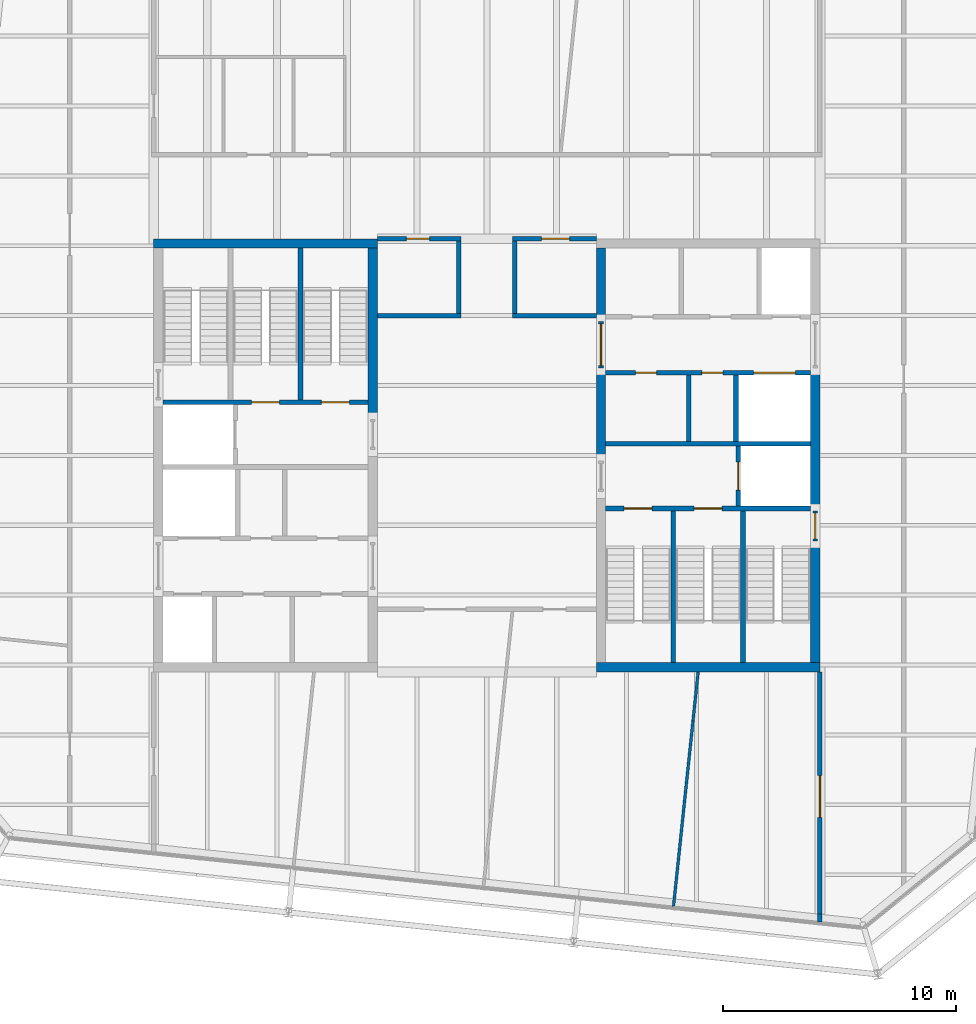
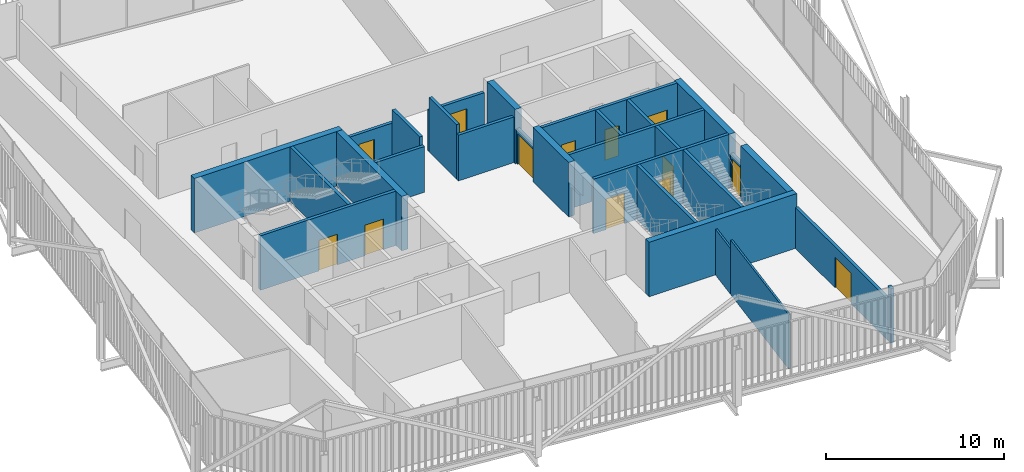
# One storey, part 18 of 21: 29 walls, 13 doors, 13 openings.
"""IFC4 building model written with IfcOpenShell, lengths in metres."""

from ifc_helpers import new_model, si_unit, direction, frame, frame_2d, origin, place, context, subcontext, project, spatial, rectangle, extrude, material, layer, layer_set, type_object, element, fill, save


model = new_model("IFC4")

# Units and contexts
model_context = context("Model", 3, precision=1e-05, world=origin(), true_north=direction((0.0, 1.0)))
body_context = subcontext(model_context, "Body", "Model", "MODEL_VIEW")
ifc_project = project(units=[si_unit("LENGTHUNIT", "METRE"), si_unit("AREAUNIT", "SQUARE_METRE"), si_unit("VOLUMEUNIT", "CUBIC_METRE"), si_unit("PLANEANGLEUNIT", "RADIAN"), si_unit("MASSUNIT", "GRAM", prefix="KILO")], contexts=[model_context])

# Site, building, storey
site_placement = place(None, origin())
site = spatial("IfcSite", under=ifc_project, at=site_placement, CompositionType="ELEMENT")
building_placement = place(site_placement, origin())
building = spatial("IfcBuilding", under=site, at=building_placement, Name="Millrace Tower", CompositionType="ELEMENT")
storey_placement = place(building_placement, frame((0.0, 0.0, 291.60009765625)))
storey = spatial("IfcBuildingStorey", under=building, at=storey_placement, Name="L67", CompositionType="ELEMENT", Elevation=291.60009765625)

# Walls
ifc_material_1 = material(Name="Concrete C60", Category="concrete")
ifc_layer_1 = layer(ifc_material_1, 0.39990234375)
ifc_layer_set_1 = layer_set([ifc_layer_1], Name="Concrete C60")
wall_type_1 = type_object("IfcWallType", Name="Core wall 400 Concrete C60", PredefinedType="SHEAR", material=ifc_layer_set_1)
wall_1_placement = place(storey_placement, frame((-14.300048828125, 9.10009765625, 0.0), z_axis=(0.0, 0.0, 1.0), x_axis=(1.0, 0.0, 0.0)))
element("IfcWall", 1, at=wall_1_placement, inside=storey, type_object=wall_type_1, Name="Core wall W L67", PredefinedType="SHEAR", context=body_context, shape_type="SweptSolid", body=[
    extrude(rectangle(XDim=9.60009765625, YDim=0.39990234375, at=frame_2d((4.800048828125, 0.0))), origin(), (0.0, 0.0, 1.0), 3.739990234375),
])
wall_2_placement = place(storey_placement, frame((-4.89990234375, 1.550048828125, 0.0), z_axis=(0.0, 0.0, 1.0), x_axis=(0.0, 1.0, 0.0)))
element("IfcWall", 2, at=wall_2_placement, inside=storey, type_object=wall_type_1, Name="Core wall W L67", PredefinedType="SHEAR", context=body_context, shape_type="SweptSolid", body=[
    extrude(rectangle(XDim=7.349853515625, YDim=0.39990234375, at=frame_2d((3.6748046875, 0.0))), origin(), (0.0, 0.0, 1.0), 3.739990234375),
])
wall_3_placement = place(storey_placement, frame((14.300048828125, -9.10009765625, 0.0), z_axis=(0.0, 0.0, 1.0), x_axis=(-1.0, 0.0, 0.0)))
element("IfcWall", 3, at=wall_3_placement, inside=storey, type_object=wall_type_1, Name="Core wall E L67", PredefinedType="SHEAR", context=body_context, shape_type="SweptSolid", body=[
    extrude(rectangle(XDim=9.60009765625, YDim=0.39990234375, at=frame_2d((4.800048828125, 0.0))), origin(), (0.0, 0.0, 1.0), 3.739990234375),
])
wall_4_placement = place(storey_placement, frame((14.10009765625, 3.75, 0.0), z_axis=(0.0, 0.0, 1.0), x_axis=(0.0, -1.0, 0.0)))
element("IfcWall", 4, at=wall_4_placement, inside=storey, type_object=wall_type_1, Name="Core wall E L67", PredefinedType="SHEAR", context=body_context, shape_type="SweptSolid", body=[
    extrude(rectangle(XDim=6.1298828125, YDim=0.39990234375, at=frame_2d((3.06494140625, 0.0))), origin(), (0.0, 0.0, 1.0), 3.739990234375),
])
wall_5_placement = place(storey_placement, frame((14.10009765625, -3.679931640625, 0.0), z_axis=(0.0, 0.0, 1.0), x_axis=(0.0, -1.0, 0.0)))
element("IfcWall", 5, at=wall_5_placement, inside=storey, type_object=wall_type_1, Name="Core wall E L67", PredefinedType="SHEAR", context=body_context, shape_type="SweptSolid", body=[
    extrude(rectangle(XDim=5.219970703125, YDim=0.39990234375, at=frame_2d((2.60986328125, 0.0))), origin(), (0.0, 0.0, 1.0), 3.739990234375),
])
wall_6_placement = place(storey_placement, frame((4.89990234375, 8.89990234375, 0.0), z_axis=(0.0, 0.0, 1.0), x_axis=(0.0, -1.0, 0.0)))
element("IfcWall", 6, at=wall_6_placement, inside=storey, type_object=wall_type_1, Name="Core wall E L67", PredefinedType="SHEAR", context=body_context, shape_type="SweptSolid", body=[
    extrude(rectangle(XDim=3.14990234375, YDim=0.39990234375, at=frame_2d((1.574951171875, 0.0))), origin(), (0.0, 0.0, 1.0), 3.739990234375),
])
wall_7_placement = place(storey_placement, frame((4.89990234375, 3.75, 0.0), z_axis=(0.0, 0.0, 1.0), x_axis=(0.0, -1.0, 0.0)))
element("IfcWall", 7, at=wall_7_placement, inside=storey, type_object=wall_type_1, Name="Core wall E L67", PredefinedType="SHEAR", context=body_context, shape_type="SweptSolid", body=[
    extrude(rectangle(XDim=4.0, YDim=0.39990234375, at=frame_2d((2.0, 0.0))), origin(), (0.0, 0.0, 1.0), 3.739990234375),
])
ifc_material_2 = material(Name="Masonry partition, fire-rated", Category="masonry")
ifc_layer_2 = layer(ifc_material_2, 0.199951171875)
ifc_layer_set_2 = layer_set([ifc_layer_2], Name="Masonry partition, fire-rated")
wall_type_2 = type_object("IfcWallType", Name="Corridor wall 200", PredefinedType="PARTITIONING", material=ifc_layer_set_2)
for number, where, z_axis, x_axis, name in (
    (8, (-4.699951171875, 6.0, 0.0), (0.0, 0.0, 1.0), (1.0, 0.0, 0.0), "Corridor wall L67"),
    (9, (1.10009765625, 6.0, 0.0), (0.0, 0.0, 1.0), (1.0, 0.0, 0.0), "Corridor wall L67"),
):
    element("IfcWall", number, at=place(storey_placement, frame(where, z_axis=z_axis, x_axis=x_axis)), inside=storey, type_object=wall_type_2, Name=name, PredefinedType="PARTITIONING", context=body_context, shape_type="SweptSolid", body=[
        extrude(rectangle(XDim=3.599853515625, YDim=0.199951171875, at=frame_2d((1.7998046875, 0.0))), origin(), (0.0, 0.0, 1.0), 3.140380859375),
    ])

# Wall, opening, door
wall_8_placement = place(storey_placement, frame((-4.699951171875, 9.300048828125, 0.0), z_axis=(0.0, 0.0, 1.0), x_axis=(1.0, 0.0, 0.0)))
wall_8 = element("IfcWall", 10, at=wall_8_placement, inside=storey, type_object=wall_type_2, Name="Corridor wall L67", PredefinedType="PARTITIONING", context=body_context, shape_type="SweptSolid", body=[
    extrude(rectangle(XDim=3.599853515625, YDim=0.199951171875, at=frame_2d((1.7998046875, 0.0))), origin(), (0.0, 0.0, 1.0), 2.812744140625),
])
opening_1_placement = place(wall_8_placement, frame((1.25, 0.0, 0.0)))
opening_1 = element("IfcOpeningElement", 11, at=opening_1_placement, cuts=wall_8, Name="Opening 67-P001", PredefinedType="OPENING", context=body_context, shape_type="SweptSolid", body=[
    extrude(rectangle(XDim=1.0, YDim=2.10009765625, at=frame_2d((0.5, 1.050048828125))), frame((0.0, 0.10986328125, 0.0), z_axis=(0.0, -1.0, 0.0), x_axis=(1.0, 0.0, 0.0)), (0.0, 0.0, 1.0), 0.219970703125),
])
ifc_material_3 = material(Name="Steel door set, fire-rated", Category="steel")
door_type_1 = type_object("IfcDoorType", Name="Corridor door 1000 x 2100", OperationType="SINGLE_SWING_LEFT", PredefinedType="DOOR", material=ifc_material_3)
door_1_placement = place(opening_1_placement, frame((1.0, 0.0, 0.0), z_axis=(0.0, 0.0, 1.0), x_axis=(-1.0, 0.0, 0.0)))
door_1 = element("IfcDoor", 12, at=door_1_placement, inside=storey, type_object=door_type_1, Name="Door 67-P001", OperationType="SINGLE_SWING_LEFT", OverallHeight=2.10009765625, OverallWidth=1.0, PredefinedType="DOOR", context=body_context, shape_type="SweptSolid", body=[
    extrude(rectangle(XDim=1.0, YDim=2.10009765625, at=frame_2d((0.5, 1.050048828125))), frame((0.0, 0.02490234375, 0.0), z_axis=(0.0, -1.0, 0.0), x_axis=(1.0, 0.0, 0.0)), (0.0, 0.0, 1.0), 0.050048828125),
])
fill(opening_1, door_1)

wall_9_placement = place(storey_placement, frame((1.10009765625, 9.300048828125, 0.0), z_axis=(0.0, 0.0, 1.0), x_axis=(1.0, 0.0, 0.0)))
wall_9 = element("IfcWall", 13, at=wall_9_placement, inside=storey, type_object=wall_type_2, Name="Corridor wall L67", PredefinedType="PARTITIONING", context=body_context, shape_type="SweptSolid", body=[
    extrude(rectangle(XDim=3.599853515625, YDim=0.199951171875, at=frame_2d((1.7998046875, 0.0))), origin(), (0.0, 0.0, 1.0), 2.812744140625),
])
opening_2_placement = place(wall_9_placement, frame((1.25, 0.0, 0.0)))
opening_2 = element("IfcOpeningElement", 14, at=opening_2_placement, cuts=wall_9, Name="Opening 67-P002", PredefinedType="OPENING", context=body_context, shape_type="SweptSolid", body=[
    extrude(rectangle(XDim=1.199951171875, YDim=2.10009765625, at=frame_2d((0.60009765625, 1.050048828125))), frame((0.0, 0.10986328125, 0.0), z_axis=(0.0, -1.0, 0.0), x_axis=(1.0, 0.0, 0.0)), (0.0, 0.0, 1.0), 0.219970703125),
])
ifc_material_4 = material(Name="Steel door set, fire-rated", Category="steel")
door_type_2 = type_object("IfcDoorType", Name="Corridor door 1200 x 2100", OperationType="SINGLE_SWING_LEFT", PredefinedType="DOOR", material=ifc_material_4)
door_2_placement = place(opening_2_placement, frame((1.199951171875, 0.0, 0.0), z_axis=(0.0, 0.0, 1.0), x_axis=(-1.0, 0.0, 0.0)))
door_2 = element("IfcDoor", 15, at=door_2_placement, inside=storey, type_object=door_type_2, Name="Door 67-P002", OperationType="SINGLE_SWING_LEFT", OverallHeight=2.10009765625, OverallWidth=1.199951171875, PredefinedType="DOOR", context=body_context, shape_type="SweptSolid", body=[
    extrude(rectangle(XDim=1.199951171875, YDim=2.10009765625, at=frame_2d((0.60009765625, 1.050048828125))), frame((0.0, 0.02490234375, 0.0), z_axis=(0.0, -1.0, 0.0), x_axis=(1.0, 0.0, 0.0)), (0.0, 0.0, 1.0), 0.050048828125),
])
fill(opening_2, door_2)

# Wall
wall_10_placement = place(storey_placement, frame((14.300048828125, -20.037353515625, 0.0), z_axis=(0.0, 0.0, 1.0), x_axis=(0.0, 1.0, 0.0)))
element("IfcWall", 16, at=wall_10_placement, inside=storey, type_object=wall_type_2, Name="Corridor wall L67", PredefinedType="PARTITIONING", context=body_context, shape_type="SweptSolid", body=[
    extrude(rectangle(XDim=0.339111328125, YDim=0.199951171875, at=frame_2d((0.16943359375, 0.0))), origin(), (0.0, 0.0, 1.0), 3.739990234375),
])

# Wall, opening, door
wall_11_placement = place(storey_placement, frame((14.300048828125, -19.6982421875, 0.0), z_axis=(0.0, 0.0, 1.0), x_axis=(0.0, 1.0, 0.0)))
wall_11 = element("IfcWall", 17, at=wall_11_placement, inside=storey, type_object=wall_type_2, Name="Corridor wall L67", PredefinedType="PARTITIONING", context=body_context, shape_type="SweptSolid", body=[
    extrude(rectangle(XDim=10.398193359375, YDim=0.199951171875, at=frame_2d((5.19921875, 0.0))), origin(), (0.0, 0.0, 1.0), 2.812744140625),
])
opening_3_placement = place(wall_11_placement, frame((4.15478515625, 0.0, 0.0)))
opening_3 = element("IfcOpeningElement", 18, at=opening_3_placement, cuts=wall_11, Name="Opening 67-P012", PredefinedType="OPENING", context=body_context, shape_type="SweptSolid", body=[
    extrude(rectangle(XDim=1.800048828125, YDim=2.10009765625, at=frame_2d((0.89990234375, 1.050048828125))), frame((0.0, 0.10986328125, 0.0), z_axis=(0.0, -1.0, 0.0), x_axis=(1.0, 0.0, 0.0)), (0.0, 0.0, 1.0), 0.219970703125),
])
ifc_material_5 = material(Name="Steel door set, fire-rated", Category="steel")
door_type_3 = type_object("IfcDoorType", Name="Corridor door 1800 x 2100", OperationType="DOUBLE_DOOR_SINGLE_SWING", PredefinedType="DOOR", material=ifc_material_5)
door_3_placement = place(opening_3_placement, origin())
door_3 = element("IfcDoor", 19, at=door_3_placement, inside=storey, type_object=door_type_3, Name="Door 67-P012", OperationType="DOUBLE_DOOR_SINGLE_SWING", OverallHeight=2.10009765625, OverallWidth=1.800048828125, PredefinedType="DOOR", context=body_context, shape_type="SweptSolid", body=[
    extrude(rectangle(XDim=1.800048828125, YDim=2.10009765625, at=frame_2d((0.89990234375, 1.050048828125))), frame((0.0, 0.02490234375, 0.0), z_axis=(0.0, -1.0, 0.0), x_axis=(1.0, 0.0, 0.0)), (0.0, 0.0, 1.0), 0.050048828125),
])
fill(opening_3, door_3)

# Walls
for number, where, z_axis, x_axis, name in (
    (20, (1.199951171875, 6.10009765625, 0.0), (0.0, 0.0, 1.0), (0.0, 1.0, 0.0), "Corridor wall L67"),
    (21, (-1.199951171875, 6.10009765625, 0.0), (0.0, 0.0, 1.0), (0.0, 1.0, 0.0), "Corridor wall L67"),
):
    element("IfcWall", number, at=place(storey_placement, frame(where, z_axis=z_axis, x_axis=x_axis)), inside=storey, type_object=wall_type_2, Name=name, PredefinedType="PARTITIONING", context=body_context, shape_type="SweptSolid", body=[
        extrude(rectangle(XDim=3.099853515625, YDim=0.199951171875, at=frame_2d((1.5498046875, 0.0))), origin(), (0.0, 0.0, 1.0), 3.739990234375),
    ])

# Wall, openings, doors
ifc_material_6 = material(Name="Masonry partition, fire-rated", Category="masonry")
ifc_layer_3 = layer(ifc_material_6, 0.199951171875)
ifc_layer_set_3 = layer_set([ifc_layer_3], Name="Masonry partition, fire-rated")
wall_type_3 = type_object("IfcWallType", Name="Lift shaft wall 200", PredefinedType="PARTITIONING", material=ifc_layer_set_3)
wall_12_placement = place(storey_placement, frame((13.89990234375, 3.550048828125, 0.0), z_axis=(0.0, 0.0, 1.0), x_axis=(-1.0, 0.0, 0.0)))
wall_12 = element("IfcWall", 22, at=wall_12_placement, inside=storey, type_object=wall_type_3, Name="Lift shaft wall E L67", PredefinedType="PARTITIONING", context=body_context, shape_type="SweptSolid", body=[
    extrude(rectangle(XDim=8.7998046875, YDim=0.199951171875, at=frame_2d((4.39990234375, 0.0))), origin(), (0.0, 0.0, 1.0), 3.739990234375),
])
opening_4_placement = place(wall_12_placement, frame((0.64990234375, 0.0, 0.0)))
opening_4 = element("IfcOpeningElement", 23, at=opening_4_placement, cuts=wall_12, Name="Opening 67-LD13", PredefinedType="OPENING", context=body_context, shape_type="SweptSolid", body=[
    extrude(rectangle(XDim=1.800048828125, YDim=2.10009765625, at=frame_2d((0.89990234375, 1.050048828125))), frame((0.0, 0.10986328125, 0.0), z_axis=(0.0, -1.0, 0.0), x_axis=(1.0, 0.0, 0.0)), (0.0, 0.0, 1.0), 0.219970703125),
])
opening_5_placement = place(wall_12_placement, frame((3.762451171875, 0.0, 0.0)))
opening_5 = element("IfcOpeningElement", 24, at=opening_5_placement, cuts=wall_12, Name="Opening 67-C017", PredefinedType="OPENING", context=body_context, shape_type="SweptSolid", body=[
    extrude(rectangle(XDim=0.89990234375, YDim=2.10009765625, at=frame_2d((0.449951171875, 1.050048828125))), frame((0.0, 0.10986328125, 0.0), z_axis=(0.0, -1.0, 0.0), x_axis=(1.0, 0.0, 0.0)), (0.0, 0.0, 1.0), 0.219970703125),
])
opening_6_placement = place(wall_12_placement, frame((6.612548828125, 0.0, 0.0)))
opening_6 = element("IfcOpeningElement", 25, at=opening_6_placement, cuts=wall_12, Name="Opening 67-C018", PredefinedType="OPENING", context=body_context, shape_type="SweptSolid", body=[
    extrude(rectangle(XDim=0.89990234375, YDim=2.10009765625, at=frame_2d((0.449951171875, 1.050048828125))), frame((0.0, 0.10986328125, 0.0), z_axis=(0.0, -1.0, 0.0), x_axis=(1.0, 0.0, 0.0)), (0.0, 0.0, 1.0), 0.219970703125),
])
ifc_material_7 = material(Name="Stainless steel, fire-rated", Category="steel")
door_type_4 = type_object("IfcDoorType", Name="Lift landing door 1800 x 2100", OperationType="DOUBLE_DOOR_SLIDING", PredefinedType="DOOR", material=ifc_material_7)
door_4_placement = place(opening_4_placement, origin())
door_4 = element("IfcDoor", 26, at=door_4_placement, inside=storey, type_object=door_type_4, Name="Lift landing door LF13 L67", OperationType="DOUBLE_DOOR_SLIDING", OverallHeight=2.10009765625, OverallWidth=1.800048828125, PredefinedType="DOOR", context=body_context, shape_type="SweptSolid", body=[
    extrude(rectangle(XDim=1.800048828125, YDim=2.10009765625, at=frame_2d((0.89990234375, 1.050048828125))), frame((0.0, 0.02490234375, 0.0), z_axis=(0.0, -1.0, 0.0), x_axis=(1.0, 0.0, 0.0)), (0.0, 0.0, 1.0), 0.050048828125),
])
fill(opening_4, door_4)
ifc_material_8 = material(Name="Steel door, fire-rated", Category="steel")
door_type_5 = type_object("IfcDoorType", Name="Service room door 900 x 2100", OperationType="SINGLE_SWING_LEFT", PredefinedType="DOOR", material=ifc_material_8)
door_5_placement = place(opening_5_placement, origin())
door_5 = element("IfcDoor", 27, at=door_5_placement, inside=storey, type_object=door_type_5, Name="Service room door 67-C017", OperationType="SINGLE_SWING_LEFT", OverallHeight=2.10009765625, OverallWidth=0.89990234375, PredefinedType="DOOR", context=body_context, shape_type="SweptSolid", body=[
    extrude(rectangle(XDim=0.89990234375, YDim=2.10009765625, at=frame_2d((0.449951171875, 1.050048828125))), frame((0.0, 0.02490234375, 0.0), z_axis=(0.0, -1.0, 0.0), x_axis=(1.0, 0.0, 0.0)), (0.0, 0.0, 1.0), 0.050048828125),
])
fill(opening_5, door_5)
door_6_placement = place(opening_6_placement, origin())
door_6 = element("IfcDoor", 28, at=door_6_placement, inside=storey, type_object=door_type_5, Name="Service room door 67-C018", OperationType="SINGLE_SWING_RIGHT", OverallHeight=2.10009765625, OverallWidth=0.89990234375, PredefinedType="DOOR", context=body_context, shape_type="SweptSolid", body=[
    extrude(rectangle(XDim=0.89990234375, YDim=2.10009765625, at=frame_2d((0.449951171875, 1.050048828125))), frame((0.0, 0.02490234375, 0.0), z_axis=(0.0, -1.0, 0.0), x_axis=(1.0, 0.0, 0.0)), (0.0, 0.0, 1.0), 0.050048828125),
])
fill(opening_6, door_6)

# Wall
wall_13_placement = place(storey_placement, frame((13.89990234375, 0.5, 0.0), z_axis=(0.0, 0.0, 1.0), x_axis=(-1.0, 0.0, 0.0)))
element("IfcWall", 29, at=wall_13_placement, inside=storey, type_object=wall_type_3, Name="Lift shaft wall E L67", PredefinedType="PARTITIONING", context=body_context, shape_type="SweptSolid", body=[
    extrude(rectangle(XDim=8.7998046875, YDim=0.199951171875, at=frame_2d((4.39990234375, 0.0))), origin(), (0.0, 0.0, 1.0), 3.739990234375),
])

# Wall, opening, door
wall_14_placement = place(storey_placement, frame((10.800048828125, 0.39990234375, 0.0), z_axis=(0.0, 0.0, 1.0), x_axis=(0.0, -1.0, 0.0)))
wall_14 = element("IfcWall", 30, at=wall_14_placement, inside=storey, type_object=wall_type_3, Name="Lift shaft wall E L67", PredefinedType="PARTITIONING", context=body_context, shape_type="SweptSolid", body=[
    extrude(rectangle(XDim=2.579833984375, YDim=0.199951171875, at=frame_2d((1.2900390625, 0.0))), origin(), (0.0, 0.0, 1.0), 3.739990234375),
])
opening_7_placement = place(wall_14_placement, frame((0.68994140625, 0.0, 0.0)))
opening_7 = element("IfcOpeningElement", 31, at=opening_7_placement, cuts=wall_14, Name="Opening 67-LD16", PredefinedType="OPENING", context=body_context, shape_type="SweptSolid", body=[
    extrude(rectangle(XDim=1.199951171875, YDim=2.10009765625, at=frame_2d((0.60009765625, 1.050048828125))), frame((0.0, 0.10986328125, 0.0), z_axis=(0.0, -1.0, 0.0), x_axis=(1.0, 0.0, 0.0)), (0.0, 0.0, 1.0), 0.219970703125),
])
ifc_material_9 = material(Name="Stainless steel, fire-rated", Category="steel")
door_type_6 = type_object("IfcDoorType", Name="Lift landing door 1200 x 2100", OperationType="DOUBLE_DOOR_SLIDING", PredefinedType="DOOR", material=ifc_material_9)
door_7_placement = place(opening_7_placement, origin())
door_7 = element("IfcDoor", 32, at=door_7_placement, inside=storey, type_object=door_type_6, Name="Lift landing door LF16 L67", OperationType="DOUBLE_DOOR_SLIDING", OverallHeight=2.10009765625, OverallWidth=1.199951171875, PredefinedType="DOOR", context=body_context, shape_type="SweptSolid", body=[
    extrude(rectangle(XDim=1.199951171875, YDim=2.10009765625, at=frame_2d((0.60009765625, 1.050048828125))), frame((0.0, 0.02490234375, 0.0), z_axis=(0.0, -1.0, 0.0), x_axis=(1.0, 0.0, 0.0)), (0.0, 0.0, 1.0), 0.050048828125),
])
fill(opening_7, door_7)

# Wall
wall_15_placement = place(storey_placement, frame((10.699951171875, 3.449951171875, 0.0), z_axis=(0.0, 0.0, 1.0), x_axis=(0.0, -1.0, 0.0)))
element("IfcWall", 33, at=wall_15_placement, inside=storey, type_object=wall_type_3, Name="Lift shaft wall E L67", PredefinedType="PARTITIONING", context=body_context, shape_type="SweptSolid", body=[
    extrude(rectangle(XDim=2.849853515625, YDim=0.199951171875, at=frame_2d((1.4248046875, 0.0))), origin(), (0.0, 0.0, 1.0), 3.739990234375),
])

# Wall, opening, door
ifc_material_10 = material(Name="Masonry partition, fire-rated", Category="masonry")
ifc_layer_4 = layer(ifc_material_10, 0.199951171875)
ifc_layer_set_4 = layer_set([ifc_layer_4], Name="Masonry partition, fire-rated")
wall_type_4 = type_object("IfcWallType", Name="Lobby wall 200", PredefinedType="PARTITIONING", material=ifc_layer_set_4)
wall_16_placement = place(storey_placement, frame((4.89990234375, 5.75, 0.0), z_axis=(0.0, 0.0, 1.0), x_axis=(0.0, -1.0, 0.0)))
wall_16 = element("IfcWall", 34, at=wall_16_placement, inside=storey, type_object=wall_type_4, Name="Lobby wall E L67", PredefinedType="PARTITIONING", context=body_context, shape_type="SweptSolid", body=[
    extrude(rectangle(XDim=2.0, YDim=0.199951171875, at=frame_2d((1.0, 0.0))), origin(), (0.0, 0.0, 1.0), 2.39990234375),
])
opening_8_placement = place(wall_16_placement, frame((0.10009765625, 0.0, 0.0)))
opening_8 = element("IfcOpeningElement", 35, at=opening_8_placement, cuts=wall_16, Name="Opening 67-C013", PredefinedType="OPENING", context=body_context, shape_type="SweptSolid", body=[
    extrude(rectangle(XDim=1.800048828125, YDim=2.10009765625, at=frame_2d((0.89990234375, 1.050048828125))), frame((0.0, 0.10986328125, 0.0), z_axis=(0.0, -1.0, 0.0), x_axis=(1.0, 0.0, 0.0)), (0.0, 0.0, 1.0), 0.219970703125),
])
ifc_material_11 = material(Name="Steel door, fire-rated", Category="steel")
door_type_7 = type_object("IfcDoorType", Name="Lobby door 1800 x 2100", OperationType="DOUBLE_DOOR_SINGLE_SWING", PredefinedType="DOOR", material=ifc_material_11)
door_8_placement = place(opening_8_placement, frame((1.800048828125, 0.0, 0.0), z_axis=(0.0, 0.0, 1.0), x_axis=(-1.0, 0.0, 0.0)))
door_8 = element("IfcDoor", 36, at=door_8_placement, inside=storey, type_object=door_type_7, Name="Lobby door 67-C013", OperationType="DOUBLE_DOOR_SINGLE_SWING", OverallHeight=2.10009765625, OverallWidth=1.800048828125, PredefinedType="DOOR", context=body_context, shape_type="SweptSolid", body=[
    extrude(rectangle(XDim=1.800048828125, YDim=2.10009765625, at=frame_2d((0.89990234375, 1.050048828125))), frame((0.0, 0.02490234375, 0.0), z_axis=(0.0, -1.0, 0.0), x_axis=(1.0, 0.0, 0.0)), (0.0, 0.0, 1.0), 0.050048828125),
])
fill(opening_8, door_8)

# Walls
ifc_material_12 = material(Name="Gypsum board partition")
ifc_layer_5 = layer(ifc_material_12, 0.1201171875)
ifc_layer_set_5 = layer_set([ifc_layer_5], Name="Gypsum board partition")
wall_type_5 = type_object("IfcWallType", Name="Partition wall 120", PredefinedType="PARTITIONING", material=ifc_layer_set_5)
wall_17_placement = place(storey_placement, frame((8.0126953125, -19.376708984375, 0.0), z_axis=(0.0, 0.0, 1.0), x_axis=(0.104553276341, 0.994519287096, 0.0)))
element("IfcWall", 37, at=wall_17_placement, inside=storey, type_object=wall_type_5, Name="Partition wall L67", PredefinedType="PARTITIONING", context=body_context, shape_type="SweptSolid", body=[
    extrude(rectangle(XDim=8.02099609375, YDim=0.1201171875, at=frame_2d((4.010498046875, 0.0))), origin(), (0.0, 0.0, 1.0), 3.739990234375),
])
wall_18_placement = place(storey_placement, frame((8.851318359375, -11.399658203125, 0.0), z_axis=(0.0, 0.0, 1.0), x_axis=(0.1045403102, 0.994520650134, 0.0)))
element("IfcWall", 38, at=wall_18_placement, inside=storey, type_object=wall_type_5, Name="Partition wall L67", PredefinedType="PARTITIONING", context=body_context, shape_type="SweptSolid", body=[
    extrude(rectangle(XDim=2.111083984375, YDim=0.1201171875, at=frame_2d((1.0556640625, 0.0))), origin(), (0.0, 0.0, 1.0), 3.140380859375),
])
ifc_material_13 = material(Name="Masonry partition, fire-rated", Category="masonry")
ifc_layer_6 = layer(ifc_material_13, 0.199951171875)
ifc_layer_set_6 = layer_set([ifc_layer_6], Name="Masonry partition, fire-rated")
wall_type_6 = type_object("IfcWallType", Name="Room partition 200", PredefinedType="PARTITIONING", material=ifc_layer_set_6)
wall_19_placement = place(storey_placement, frame((8.675048828125, 3.449951171875, 0.0), z_axis=(0.0, 0.0, 1.0), x_axis=(0.0, -1.0, 0.0)))
element("IfcWall", 39, at=wall_19_placement, inside=storey, type_object=wall_type_6, Name="Room partition E L67", PredefinedType="PARTITIONING", context=body_context, shape_type="SweptSolid", body=[
    extrude(rectangle(XDim=2.849853515625, YDim=0.199951171875, at=frame_2d((1.4248046875, 0.0))), origin(), (0.0, 0.0, 1.0), 3.739990234375),
])

# Wall, openings, doors
ifc_material_14 = material(Name="Concrete C40", Category="concrete")
ifc_layer_7 = layer(ifc_material_14, 0.199951171875)
ifc_layer_set_7 = layer_set([ifc_layer_7], Name="Concrete C40")
wall_type_7 = type_object("IfcWallType", Name="Stair enclosure wall 200 Concrete C40", PredefinedType="SHEAR", material=ifc_layer_set_7)
wall_20_placement = place(storey_placement, frame((-13.89990234375, 2.280029296875, 0.0), z_axis=(0.0, 0.0, 1.0), x_axis=(1.0, 0.0, 0.0)))
wall_20 = element("IfcWall", 40, at=wall_20_placement, inside=storey, type_object=wall_type_7, Name="Stair enclosure wall W L67", PredefinedType="SHEAR", context=body_context, shape_type="SweptSolid", body=[
    extrude(rectangle(XDim=8.7998046875, YDim=0.199951171875, at=frame_2d((4.39990234375, 0.0))), origin(), (0.0, 0.0, 1.0), 3.739990234375),
])
opening_9_placement = place(wall_20_placement, frame((3.800048828125, 0.0, 0.0)))
opening_9 = element("IfcOpeningElement", 41, at=opening_9_placement, cuts=wall_20, Name="Opening 67-C009", PredefinedType="OPENING", context=body_context, shape_type="SweptSolid", body=[
    extrude(rectangle(XDim=1.199951171875, YDim=2.10009765625, at=frame_2d((0.60009765625, 1.050048828125))), frame((0.0, 0.10986328125, 0.0), z_axis=(0.0, -1.0, 0.0), x_axis=(1.0, 0.0, 0.0)), (0.0, 0.0, 1.0), 0.219970703125),
])
opening_10_placement = place(wall_20_placement, frame((6.800048828125, 0.0, 0.0)))
opening_10 = element("IfcOpeningElement", 42, at=opening_10_placement, cuts=wall_20, Name="Opening 67-C010", PredefinedType="OPENING", context=body_context, shape_type="SweptSolid", body=[
    extrude(rectangle(XDim=1.199951171875, YDim=2.10009765625, at=frame_2d((0.60009765625, 1.050048828125))), frame((0.0, 0.10986328125, 0.0), z_axis=(0.0, -1.0, 0.0), x_axis=(1.0, 0.0, 0.0)), (0.0, 0.0, 1.0), 0.219970703125),
])
ifc_material_15 = material(Name="Steel door, fire-rated", Category="steel")
door_type_8 = type_object("IfcDoorType", Name="Stair door 1200 x 2100", OperationType="SINGLE_SWING_LEFT", PredefinedType="DOOR", material=ifc_material_15)
door_9_placement = place(opening_9_placement, frame((1.199951171875, 0.0, 0.0), z_axis=(0.0, 0.0, 1.0), x_axis=(-1.0, 0.0, 0.0)))
door_9 = element("IfcDoor", 43, at=door_9_placement, inside=storey, type_object=door_type_8, Name="Stair door 67-C009", OperationType="SINGLE_SWING_LEFT", OverallHeight=2.10009765625, OverallWidth=1.199951171875, PredefinedType="DOOR", context=body_context, shape_type="SweptSolid", body=[
    extrude(rectangle(XDim=1.199951171875, YDim=2.10009765625, at=frame_2d((0.60009765625, 1.050048828125))), frame((0.0, 0.02490234375, 0.0), z_axis=(0.0, -1.0, 0.0), x_axis=(1.0, 0.0, 0.0)), (0.0, 0.0, 1.0), 0.050048828125),
])
fill(opening_9, door_9)
door_10_placement = place(opening_10_placement, frame((1.199951171875, 0.0, 0.0), z_axis=(0.0, 0.0, 1.0), x_axis=(-1.0, 0.0, 0.0)))
door_10 = element("IfcDoor", 44, at=door_10_placement, inside=storey, type_object=door_type_8, Name="Stair door 67-C010", OperationType="SINGLE_SWING_LEFT", OverallHeight=2.10009765625, OverallWidth=1.199951171875, PredefinedType="DOOR", context=body_context, shape_type="SweptSolid", body=[
    extrude(rectangle(XDim=1.199951171875, YDim=2.10009765625, at=frame_2d((0.60009765625, 1.050048828125))), frame((0.0, 0.02490234375, 0.0), z_axis=(0.0, -1.0, 0.0), x_axis=(1.0, 0.0, 0.0)), (0.0, 0.0, 1.0), 0.050048828125),
])
fill(opening_10, door_10)

# Wall
wall_21_placement = place(storey_placement, frame((-8.0, 2.3798828125, 0.0), z_axis=(0.0, 0.0, 1.0), x_axis=(0.0, 1.0, 0.0)))
element("IfcWall", 45, at=wall_21_placement, inside=storey, type_object=wall_type_7, Name="Stair enclosure wall W L67", PredefinedType="SHEAR", context=body_context, shape_type="SweptSolid", body=[
    extrude(rectangle(XDim=6.52001953125, YDim=0.199951171875, at=frame_2d((3.260009765625, 0.0))), origin(), (0.0, 0.0, 1.0), 3.739990234375),
])

# Wall, opening, door
wall_22_placement = place(storey_placement, frame((14.10009765625, -2.3798828125, 0.0), z_axis=(0.0, 0.0, 1.0), x_axis=(0.0, -1.0, 0.0)))
wall_22 = element("IfcWall", 46, at=wall_22_placement, inside=storey, type_object=wall_type_7, Name="Stair enclosure wall E L67", PredefinedType="SHEAR", context=body_context, shape_type="SweptSolid", body=[
    extrude(rectangle(XDim=1.300048828125, YDim=0.199951171875, at=frame_2d((0.64990234375, 0.0))), origin(), (0.0, 0.0, 1.0), 2.39990234375),
])
opening_11_placement = place(wall_22_placement, frame((0.10009765625, 0.0, 0.0)))
opening_11 = element("IfcOpeningElement", 47, at=opening_11_placement, cuts=wall_22, Name="Opening 67-C012", PredefinedType="OPENING", context=body_context, shape_type="SweptSolid", body=[
    extrude(rectangle(XDim=1.10009765625, YDim=2.10009765625, at=frame_2d((0.550048828125, 1.050048828125))), frame((0.0, 0.10986328125, 0.0), z_axis=(0.0, -1.0, 0.0), x_axis=(1.0, 0.0, 0.0)), (0.0, 0.0, 1.0), 0.219970703125),
])
ifc_material_16 = material(Name="Steel door, fire-rated", Category="steel")
door_type_9 = type_object("IfcDoorType", Name="Stair door 1100 x 2100", OperationType="SINGLE_SWING_LEFT", PredefinedType="DOOR", material=ifc_material_16)
door_11_placement = place(opening_11_placement, origin())
door_11 = element("IfcDoor", 48, at=door_11_placement, inside=storey, type_object=door_type_9, Name="Stair door 67-C012", OperationType="SINGLE_SWING_RIGHT", OverallHeight=2.10009765625, OverallWidth=1.10009765625, PredefinedType="DOOR", context=body_context, shape_type="SweptSolid", body=[
    extrude(rectangle(XDim=1.10009765625, YDim=2.10009765625, at=frame_2d((0.550048828125, 1.050048828125))), frame((0.0, 0.02490234375, 0.0), z_axis=(0.0, -1.0, 0.0), x_axis=(1.0, 0.0, 0.0)), (0.0, 0.0, 1.0), 0.050048828125),
])
fill(opening_11, door_11)

# Wall, openings, doors
wall_23_placement = place(storey_placement, frame((13.89990234375, -2.280029296875, 0.0), z_axis=(0.0, 0.0, 1.0), x_axis=(-1.0, 0.0, 0.0)))
wall_23 = element("IfcWall", 49, at=wall_23_placement, inside=storey, type_object=wall_type_7, Name="Stair enclosure wall E L67", PredefinedType="SHEAR", context=body_context, shape_type="SweptSolid", body=[
    extrude(rectangle(XDim=8.7998046875, YDim=0.199951171875, at=frame_2d((4.39990234375, 0.0))), origin(), (0.0, 0.0, 1.0), 3.739990234375),
])
opening_12_placement = place(wall_23_placement, frame((3.800048828125, 0.0, 0.0)))
opening_12 = element("IfcOpeningElement", 50, at=opening_12_placement, cuts=wall_23, Name="Opening 67-C019", PredefinedType="OPENING", context=body_context, shape_type="SweptSolid", body=[
    extrude(rectangle(XDim=1.199951171875, YDim=2.10009765625, at=frame_2d((0.60009765625, 1.050048828125))), frame((0.0, 0.10986328125, 0.0), z_axis=(0.0, -1.0, 0.0), x_axis=(1.0, 0.0, 0.0)), (0.0, 0.0, 1.0), 0.219970703125),
])
opening_13_placement = place(wall_23_placement, frame((6.800048828125, 0.0, 0.0)))
opening_13 = element("IfcOpeningElement", 51, at=opening_13_placement, cuts=wall_23, Name="Opening 67-C020", PredefinedType="OPENING", context=body_context, shape_type="SweptSolid", body=[
    extrude(rectangle(XDim=1.199951171875, YDim=2.10009765625, at=frame_2d((0.60009765625, 1.050048828125))), frame((0.0, 0.10986328125, 0.0), z_axis=(0.0, -1.0, 0.0), x_axis=(1.0, 0.0, 0.0)), (0.0, 0.0, 1.0), 0.219970703125),
])
door_12_placement = place(opening_12_placement, frame((1.199951171875, 0.0, 0.0), z_axis=(0.0, 0.0, 1.0), x_axis=(-1.0, 0.0, 0.0)))
door_12 = element("IfcDoor", 52, at=door_12_placement, inside=storey, type_object=door_type_8, Name="Stair door 67-C019", OperationType="SINGLE_SWING_LEFT", OverallHeight=2.10009765625, OverallWidth=1.199951171875, PredefinedType="DOOR", context=body_context, shape_type="SweptSolid", body=[
    extrude(rectangle(XDim=1.199951171875, YDim=2.10009765625, at=frame_2d((0.60009765625, 1.050048828125))), frame((0.0, 0.02490234375, 0.0), z_axis=(0.0, -1.0, 0.0), x_axis=(1.0, 0.0, 0.0)), (0.0, 0.0, 1.0), 0.050048828125),
])
fill(opening_12, door_12)
door_13_placement = place(opening_13_placement, frame((1.199951171875, 0.0, 0.0), z_axis=(0.0, 0.0, 1.0), x_axis=(-1.0, 0.0, 0.0)))
door_13 = element("IfcDoor", 53, at=door_13_placement, inside=storey, type_object=door_type_8, Name="Stair door 67-C020", OperationType="SINGLE_SWING_LEFT", OverallHeight=2.10009765625, OverallWidth=1.199951171875, PredefinedType="DOOR", context=body_context, shape_type="SweptSolid", body=[
    extrude(rectangle(XDim=1.199951171875, YDim=2.10009765625, at=frame_2d((0.60009765625, 1.050048828125))), frame((0.0, 0.02490234375, 0.0), z_axis=(0.0, -1.0, 0.0), x_axis=(1.0, 0.0, 0.0)), (0.0, 0.0, 1.0), 0.050048828125),
])
fill(opening_13, door_13)

# Walls
for number, where, z_axis, x_axis, name in (
    (54, (11.0, -2.3798828125, 0.0), (0.0, 0.0, 1.0), (0.0, -1.0, 0.0), "Stair enclosure wall E L67"),
    (55, (8.0, -2.3798828125, 0.0), (0.0, 0.0, 1.0), (0.0, -1.0, 0.0), "Stair enclosure wall E L67"),
):
    element("IfcWall", number, at=place(storey_placement, frame(where, z_axis=z_axis, x_axis=x_axis)), inside=storey, type_object=wall_type_7, Name=name, PredefinedType="SHEAR", context=body_context, shape_type="SweptSolid", body=[
        extrude(rectangle(XDim=6.52001953125, YDim=0.199951171875, at=frame_2d((3.260009765625, 0.0))), origin(), (0.0, 0.0, 1.0), 3.739990234375),
    ])

save(model, "model.ifc")
